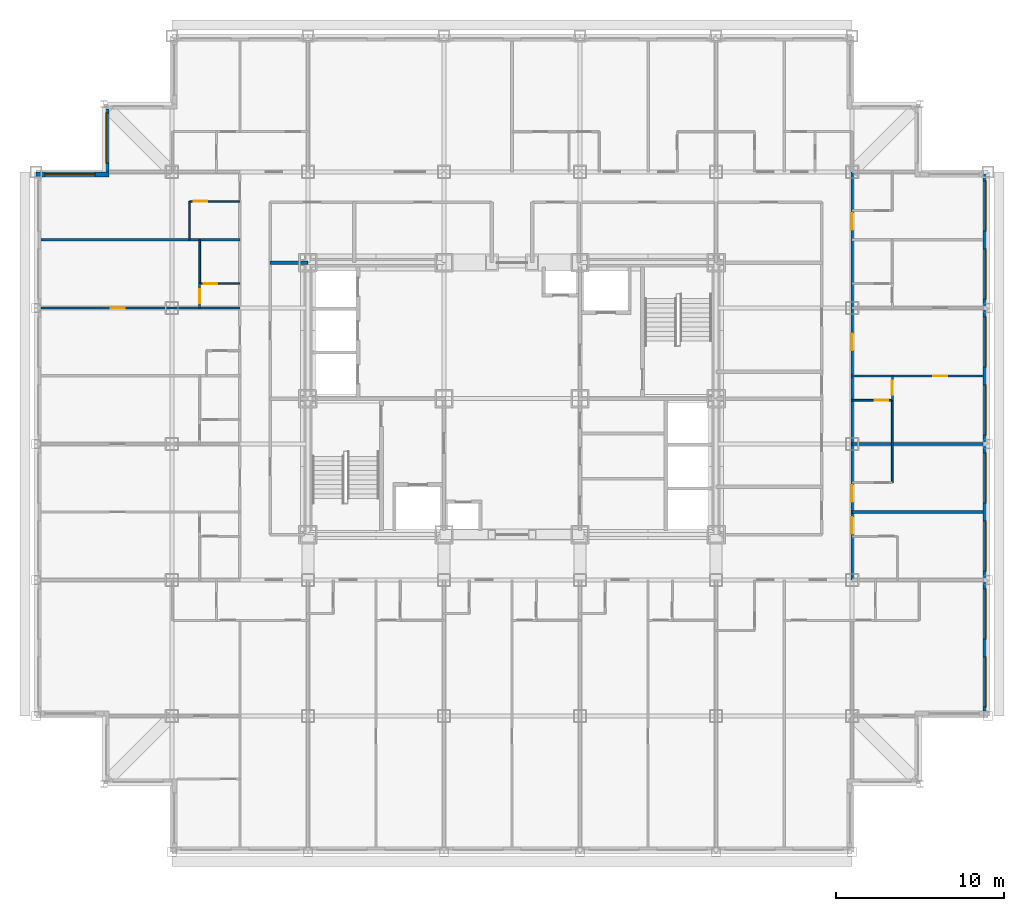
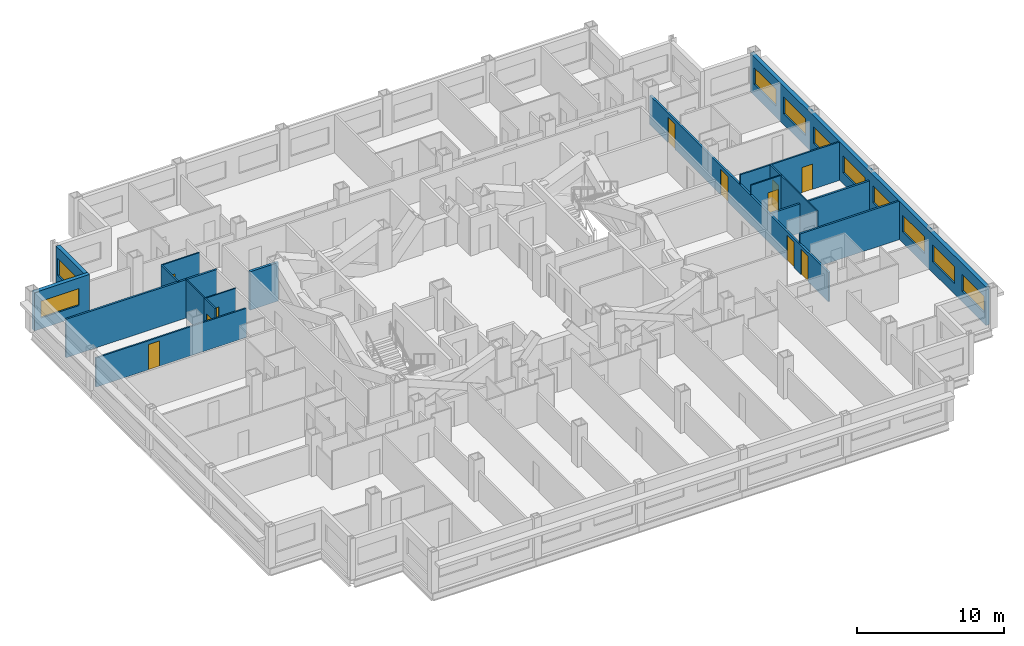
# One storey, part 8 of 12: 18 walls, 11 doors, 10 windows, 21 openings.
"""IFC4 building model written with IfcOpenShell, lengths in metres."""

from ifc_helpers import new_model, si_unit, direction, frame, frame_2d, origin, place, context, subcontext, project, spatial, rectangle, extrude, material, layer, layer_set, type_object, element, fill, save


model = new_model("IFC4")

# Units and contexts
model_context = context("Model", 3, precision=1e-05, world=origin(), true_north=direction((0.0, 1.0)))
body_context = subcontext(model_context, "Body", "Model", "MODEL_VIEW")
ifc_project = project(units=[si_unit("LENGTHUNIT", "METRE"), si_unit("AREAUNIT", "SQUARE_METRE"), si_unit("VOLUMEUNIT", "CUBIC_METRE"), si_unit("PLANEANGLEUNIT", "RADIAN"), si_unit("MASSUNIT", "GRAM", prefix="KILO")], contexts=[model_context])

# Site, building, storey
site_placement = place(None, origin())
site = spatial("IfcSite", under=ifc_project, at=site_placement, CompositionType="ELEMENT")
building_placement = place(site_placement, origin())
building = spatial("IfcBuilding", under=site, at=building_placement, Name="Kopane Lantern Tower", CompositionType="ELEMENT")
storey_placement = place(building_placement, frame((0.0, 0.0, 144.199951171875)))
storey = spatial("IfcBuildingStorey", under=building, at=storey_placement, Name="L37", CompositionType="ELEMENT", Elevation=144.199951171875)

# Wall, opening, door
ifc_material_1 = material(Name="Gypsum board on steel studs", Category="steel")
ifc_layer_1 = layer(ifc_material_1, 0.1201171875)
ifc_layer_set_1 = layer_set([ifc_layer_1], Name="APARTMENT INTERNAL WALL 120")
wall_type_1 = type_object("IfcWallType", Name="APARTMENT INTERNAL WALL 120", PredefinedType="PARTITIONING", material=ifc_layer_set_1)
wall_1_placement = place(storey_placement, frame((12.14990234375, 37.800048828125, 0.0), z_axis=(0.0, 0.0, 1.0), x_axis=(-1.0, 0.0, 0.0)))
wall_1 = element("IfcWall", 1, at=wall_1_placement, inside=storey, type_object=wall_type_1, Name="Apartment Internal Wall 120 L37", PredefinedType="PARTITIONING", context=body_context, shape_type="SweptSolid", body=[
    extrude(rectangle(XDim=11.849853515625, YDim=0.1201171875, at=frame_2d((5.9248046875, 0.0))), origin(), (0.0, 0.0, 1.0), 2.420166015625),
])
opening_1_placement = place(wall_1_placement, frame((6.85009765625, 0.0, 0.0)))
opening_1 = element("IfcOpeningElement", 2, at=opening_1_placement, cuts=wall_1, Name="Opening L37-042", PredefinedType="OPENING", context=body_context, shape_type="SweptSolid", body=[
    extrude(rectangle(XDim=0.85009765625, YDim=2.10009765625, at=frame_2d((0.425048828125, 1.050048828125))), frame((0.0, 0.070068359375, 0.0), z_axis=(0.0, -1.0, 0.0), x_axis=(1.0, 0.0, 0.0)), (0.0, 0.0, 1.0), 0.14013671875),
])
ifc_material_2 = material(Name="Timber door set", Category="wood")
door_type_1 = type_object("IfcDoorType", Name="DOOR D4 850x2100", OperationType="SINGLE_SWING_LEFT", PredefinedType="DOOR", material=ifc_material_2)
door_1_placement = place(opening_1_placement, origin())
door_1 = element("IfcDoor", 3, at=door_1_placement, inside=storey, type_object=door_type_1, Name="Door L37-042", OperationType="SINGLE_SWING_RIGHT", OverallHeight=2.10009765625, OverallWidth=0.85009765625, PredefinedType="DOOR", context=body_context, shape_type="SweptSolid", body=[
    extrude(rectangle(XDim=0.85009765625, YDim=2.10009765625, at=frame_2d((0.425048828125, 1.050048828125))), frame((0.0, 0.02490234375, 0.0), z_axis=(0.0, -1.0, 0.0), x_axis=(1.0, 0.0, 0.0)), (0.0, 0.0, 1.0), 0.050048828125),
])
fill(opening_1, door_1)

wall_2_placement = place(storey_placement, frame((48.60009765625, 33.75, 0.0), z_axis=(0.0, 0.0, 1.0), x_axis=(1.0, 0.0, 0.0)))
wall_2 = element("IfcWall", 4, at=wall_2_placement, inside=storey, type_object=wall_type_1, Name="Apartment Internal Wall 120 L37", PredefinedType="PARTITIONING", context=body_context, shape_type="SweptSolid", body=[
    extrude(rectangle(XDim=7.7998046875, YDim=0.1201171875, at=frame_2d((3.89990234375, 0.0))), origin(), (0.0, 0.0, 1.0), 3.18994140625),
])
opening_2_placement = place(wall_2_placement, frame((4.824951171875, 0.0, 0.0)))
opening_2 = element("IfcOpeningElement", 5, at=opening_2_placement, cuts=wall_2, Name="Opening L37-051", PredefinedType="OPENING", context=body_context, shape_type="SweptSolid", body=[
    extrude(rectangle(XDim=0.85009765625, YDim=2.10009765625, at=frame_2d((0.425048828125, 1.050048828125))), frame((0.0, 0.070068359375, 0.0), z_axis=(0.0, -1.0, 0.0), x_axis=(1.0, 0.0, 0.0)), (0.0, 0.0, 1.0), 0.14013671875),
])
door_2_placement = place(opening_2_placement, origin())
door_2 = element("IfcDoor", 6, at=door_2_placement, inside=storey, type_object=door_type_1, Name="Door L37-051", OperationType="SINGLE_SWING_RIGHT", OverallHeight=2.10009765625, OverallWidth=0.85009765625, PredefinedType="DOOR", context=body_context, shape_type="SweptSolid", body=[
    extrude(rectangle(XDim=0.85009765625, YDim=2.10009765625, at=frame_2d((0.425048828125, 1.050048828125))), frame((0.0, 0.02490234375, 0.0), z_axis=(0.0, -1.0, 0.0), x_axis=(1.0, 0.0, 0.0)), (0.0, 0.0, 1.0), 0.050048828125),
])
fill(opening_2, door_2)

wall_3_placement = place(storey_placement, frame((9.75, 37.800048828125, 0.0), z_axis=(0.0, 0.0, 1.0), x_axis=(0.0, 1.0, 0.0)))
wall_3 = element("IfcWall", 7, at=wall_3_placement, inside=storey, type_object=wall_type_1, Name="Apartment Internal Wall 120 L37", PredefinedType="PARTITIONING", context=body_context, shape_type="SweptSolid", body=[
    extrude(rectangle(XDim=1.4599609375, YDim=0.1201171875, at=frame_2d((0.72998046875, 0.0))), origin(), (0.0, 0.0, 1.0), 3.18994140625),
])
opening_3_placement = place(wall_3_placement, frame((0.27490234375, 0.0, 0.0)))
opening_3 = element("IfcOpeningElement", 8, at=opening_3_placement, cuts=wall_3, Name="Opening L37-078", PredefinedType="OPENING", context=body_context, shape_type="SweptSolid", body=[
    extrude(rectangle(XDim=0.85009765625, YDim=2.10009765625, at=frame_2d((0.425048828125, 1.050048828125))), frame((0.0, 0.070068359375, 0.0), z_axis=(0.0, -1.0, 0.0), x_axis=(1.0, 0.0, 0.0)), (0.0, 0.0, 1.0), 0.14013671875),
])
door_3_placement = place(opening_3_placement, origin())
door_3 = element("IfcDoor", 9, at=door_3_placement, inside=storey, type_object=door_type_1, Name="Door L37-078", OperationType="SINGLE_SWING_LEFT", OverallHeight=2.10009765625, OverallWidth=0.85009765625, PredefinedType="DOOR", context=body_context, shape_type="SweptSolid", body=[
    extrude(rectangle(XDim=0.85009765625, YDim=2.10009765625, at=frame_2d((0.425048828125, 1.050048828125))), frame((0.0, 0.02490234375, 0.0), z_axis=(0.0, -1.0, 0.0), x_axis=(1.0, 0.0, 0.0)), (0.0, 0.0, 1.0), 0.050048828125),
])
fill(opening_3, door_3)

wall_4_placement = place(storey_placement, frame((51.0, 33.75, 0.0), z_axis=(0.0, 0.0, 1.0), x_axis=(0.0, -1.0, 0.0)))
wall_4 = element("IfcWall", 10, at=wall_4_placement, inside=storey, type_object=wall_type_1, Name="Apartment Internal Wall 120 L37", PredefinedType="PARTITIONING", context=body_context, shape_type="SweptSolid", body=[
    extrude(rectangle(XDim=1.4599609375, YDim=0.1201171875, at=frame_2d((0.72998046875, 0.0))), origin(), (0.0, 0.0, 1.0), 3.18994140625),
])
opening_4_placement = place(wall_4_placement, frame((0.27490234375, 0.0, 0.0)))
opening_4 = element("IfcOpeningElement", 11, at=opening_4_placement, cuts=wall_4, Name="Opening L37-079", PredefinedType="OPENING", context=body_context, shape_type="SweptSolid", body=[
    extrude(rectangle(XDim=0.85009765625, YDim=2.10009765625, at=frame_2d((0.425048828125, 1.050048828125))), frame((0.0, 0.070068359375, 0.0), z_axis=(0.0, -1.0, 0.0), x_axis=(1.0, 0.0, 0.0)), (0.0, 0.0, 1.0), 0.14013671875),
])
door_4_placement = place(opening_4_placement, origin())
door_4 = element("IfcDoor", 12, at=door_4_placement, inside=storey, type_object=door_type_1, Name="Door L37-079", OperationType="SINGLE_SWING_LEFT", OverallHeight=2.10009765625, OverallWidth=0.85009765625, PredefinedType="DOOR", context=body_context, shape_type="SweptSolid", body=[
    extrude(rectangle(XDim=0.85009765625, YDim=2.10009765625, at=frame_2d((0.425048828125, 1.050048828125))), frame((0.0, 0.02490234375, 0.0), z_axis=(0.0, -1.0, 0.0), x_axis=(1.0, 0.0, 0.0)), (0.0, 0.0, 1.0), 0.050048828125),
])
fill(opening_4, door_4)

# Wall
ifc_material_3 = material(Name="Moisture-resistant board on steel studs", Category="steel")
ifc_layer_2 = layer(ifc_material_3, 0.10009765625)
ifc_layer_set_2 = layer_set([ifc_layer_2], Name="BATHROOM WALL 100")
wall_type_2 = type_object("IfcWallType", Name="BATHROOM WALL 100", PredefinedType="PARTITIONING", material=ifc_layer_set_2)
wall_5_placement = place(storey_placement, frame((9.75, 39.25, 0.0), z_axis=(0.0, 0.0, 1.0), x_axis=(0.0, 1.0, 0.0)))
element("IfcWall", 13, at=wall_5_placement, inside=storey, type_object=wall_type_2, Name="Bathroom Wall 100 L37", PredefinedType="PARTITIONING", context=body_context, shape_type="SweptSolid", body=[
    extrude(rectangle(XDim=2.60009765625, YDim=0.10009765625, at=frame_2d((1.300048828125, 0.0))), origin(), (0.0, 0.0, 1.0), 3.18994140625),
])

# Wall, opening, door
wall_6_placement = place(storey_placement, frame((12.14990234375, 39.25, 0.0), z_axis=(0.0, 0.0, 1.0), x_axis=(-1.0, 0.0, 0.0)))
wall_6 = element("IfcWall", 14, at=wall_6_placement, inside=storey, type_object=wall_type_2, Name="Bathroom Wall 100 L37", PredefinedType="PARTITIONING", context=body_context, shape_type="SweptSolid", body=[
    extrude(rectangle(XDim=2.39990234375, YDim=0.10009765625, at=frame_2d((1.199951171875, 0.0))), origin(), (0.0, 0.0, 1.0), 3.18994140625),
])
opening_5_placement = place(wall_6_placement, frame((1.35009765625, 0.0, 0.0)))
opening_5 = element("IfcOpeningElement", 15, at=opening_5_placement, cuts=wall_6, Name="Opening L37-041", PredefinedType="OPENING", context=body_context, shape_type="SweptSolid", body=[
    extrude(rectangle(XDim=0.800048828125, YDim=2.10009765625, at=frame_2d((0.39990234375, 1.050048828125))), frame((0.0, 0.06005859375, 0.0), z_axis=(0.0, -1.0, 0.0), x_axis=(1.0, 0.0, 0.0)), (0.0, 0.0, 1.0), 0.1201171875),
])
ifc_material_4 = material(Name="Timber door set", Category="wood")
door_type_2 = type_object("IfcDoorType", Name="DOOR D2 800x2100", OperationType="SINGLE_SWING_LEFT", PredefinedType="DOOR", material=ifc_material_4)
door_5_placement = place(opening_5_placement, origin())
door_5 = element("IfcDoor", 16, at=door_5_placement, inside=storey, type_object=door_type_2, Name="Door L37-041", OperationType="SINGLE_SWING_RIGHT", OverallHeight=2.10009765625, OverallWidth=0.800048828125, PredefinedType="DOOR", context=body_context, shape_type="SweptSolid", body=[
    extrude(rectangle(XDim=0.800048828125, YDim=2.10009765625, at=frame_2d((0.39990234375, 1.050048828125))), frame((0.0, 0.02490234375, 0.0), z_axis=(0.0, -1.0, 0.0), x_axis=(1.0, 0.0, 0.0)), (0.0, 0.0, 1.0), 0.050048828125),
])
fill(opening_5, door_5)

# Wall
wall_7_placement = place(storey_placement, frame((9.14990234375, 41.85009765625, 0.0), z_axis=(0.0, 0.0, 1.0), x_axis=(0.0, 1.0, 0.0)))
element("IfcWall", 17, at=wall_7_placement, inside=storey, type_object=wall_type_2, Name="Bathroom Wall 100 L37", PredefinedType="PARTITIONING", context=body_context, shape_type="SweptSolid", body=[
    extrude(rectangle(XDim=2.2998046875, YDim=0.10009765625, at=frame_2d((1.14990234375, 0.0))), origin(), (0.0, 0.0, 1.0), 3.18994140625),
])

# Wall, opening, door
wall_8_placement = place(storey_placement, frame((12.14990234375, 44.14990234375, 0.0), z_axis=(0.0, 0.0, 1.0), x_axis=(-1.0, 0.0, 0.0)))
wall_8 = element("IfcWall", 18, at=wall_8_placement, inside=storey, type_object=wall_type_2, Name="Bathroom Wall 100 L37", PredefinedType="PARTITIONING", context=body_context, shape_type="SweptSolid", body=[
    extrude(rectangle(XDim=3.0, YDim=0.10009765625, at=frame_2d((1.5, 0.0))), origin(), (0.0, 0.0, 1.0), 3.18994140625),
])
opening_6_placement = place(wall_8_placement, frame((1.949951171875, 0.0, 0.0)))
opening_6 = element("IfcOpeningElement", 19, at=opening_6_placement, cuts=wall_8, Name="Opening L37-043", PredefinedType="OPENING", context=body_context, shape_type="SweptSolid", body=[
    extrude(rectangle(XDim=0.800048828125, YDim=2.10009765625, at=frame_2d((0.39990234375, 1.050048828125))), frame((0.0, 0.06005859375, 0.0), z_axis=(0.0, -1.0, 0.0), x_axis=(1.0, 0.0, 0.0)), (0.0, 0.0, 1.0), 0.1201171875),
])
door_6_placement = place(opening_6_placement, origin())
door_6 = element("IfcDoor", 20, at=door_6_placement, inside=storey, type_object=door_type_2, Name="Door L37-043", OperationType="SINGLE_SWING_RIGHT", OverallHeight=2.10009765625, OverallWidth=0.800048828125, PredefinedType="DOOR", context=body_context, shape_type="SweptSolid", body=[
    extrude(rectangle(XDim=0.800048828125, YDim=2.10009765625, at=frame_2d((0.39990234375, 1.050048828125))), frame((0.0, 0.02490234375, 0.0), z_axis=(0.0, -1.0, 0.0), x_axis=(1.0, 0.0, 0.0)), (0.0, 0.0, 1.0), 0.050048828125),
])
fill(opening_6, door_6)

# Wall
wall_9_placement = place(storey_placement, frame((51.0, 27.39990234375, 0.0), z_axis=(0.0, 0.0, 1.0), x_axis=(0.0, 1.0, 0.0)))
element("IfcWall", 21, at=wall_9_placement, inside=storey, type_object=wall_type_2, Name="Bathroom Wall 100 L37", PredefinedType="PARTITIONING", context=body_context, shape_type="SweptSolid", body=[
    extrude(rectangle(XDim=4.900146484375, YDim=0.10009765625, at=frame_2d((2.4501953125, 0.0))), origin(), (0.0, 0.0, 1.0), 3.18994140625),
])

# Wall, opening, door
wall_10_placement = place(storey_placement, frame((48.60009765625, 32.300048828125, 0.0), z_axis=(0.0, 0.0, 1.0), x_axis=(1.0, 0.0, 0.0)))
wall_10 = element("IfcWall", 22, at=wall_10_placement, inside=storey, type_object=wall_type_2, Name="Bathroom Wall 100 L37", PredefinedType="PARTITIONING", context=body_context, shape_type="SweptSolid", body=[
    extrude(rectangle(XDim=2.39990234375, YDim=0.10009765625, at=frame_2d((1.199951171875, 0.0))), origin(), (0.0, 0.0, 1.0), 3.18994140625),
])
opening_7_placement = place(wall_10_placement, frame((1.35009765625, 0.0, 0.0)))
opening_7 = element("IfcOpeningElement", 23, at=opening_7_placement, cuts=wall_10, Name="Opening L37-050", PredefinedType="OPENING", context=body_context, shape_type="SweptSolid", body=[
    extrude(rectangle(XDim=0.800048828125, YDim=2.10009765625, at=frame_2d((0.39990234375, 1.050048828125))), frame((0.0, 0.06005859375, 0.0), z_axis=(0.0, -1.0, 0.0), x_axis=(1.0, 0.0, 0.0)), (0.0, 0.0, 1.0), 0.1201171875),
])
door_7_placement = place(opening_7_placement, origin())
door_7 = element("IfcDoor", 24, at=door_7_placement, inside=storey, type_object=door_type_2, Name="Door L37-050", OperationType="SINGLE_SWING_RIGHT", OverallHeight=2.10009765625, OverallWidth=0.800048828125, PredefinedType="DOOR", context=body_context, shape_type="SweptSolid", body=[
    extrude(rectangle(XDim=0.800048828125, YDim=2.10009765625, at=frame_2d((0.39990234375, 1.050048828125))), frame((0.0, 0.02490234375, 0.0), z_axis=(0.0, -1.0, 0.0), x_axis=(1.0, 0.0, 0.0)), (0.0, 0.0, 1.0), 0.050048828125),
])
fill(opening_7, door_7)

# Wall, openings, doors
ifc_material_5 = material(Name="Gypsum board on steel studs", Category="steel")
ifc_layer_3 = layer(ifc_material_5, 0.14990234375)
ifc_layer_set_3 = layer_set([ifc_layer_3], Name="CORRIDOR WALL 150 EI 60")
wall_type_3 = type_object("IfcWallType", Name="CORRIDOR WALL 150 EI 60", PredefinedType="PARTITIONING", material=ifc_layer_set_3)
wall_11_placement = place(storey_placement, frame((48.60009765625, 21.60009765625, 0.0), z_axis=(0.0, 0.0, 1.0), x_axis=(0.0, 1.0, 0.0)))
wall_11 = element("IfcWall", 25, at=wall_11_placement, inside=storey, type_object=wall_type_3, Name="Corridor Wall 150 Ei 60 L37", PredefinedType="PARTITIONING", context=body_context, shape_type="SweptSolid", body=[
    extrude(rectangle(XDim=24.2998046875, YDim=0.14990234375, at=frame_2d((12.14990234375, 0.0))), origin(), (0.0, 0.0, 1.0), 2.420166015625),
])
opening_8_placement = place(wall_11_placement, frame((2.75, 0.0, 0.0)))
opening_8 = element("IfcOpeningElement", 26, at=opening_8_placement, cuts=wall_11, Name="Opening L37-046", PredefinedType="OPENING", context=body_context, shape_type="SweptSolid", body=[
    extrude(rectangle(XDim=1.0, YDim=2.10009765625, at=frame_2d((0.5, 1.050048828125))), frame((0.0, 0.0849609375, 0.0), z_axis=(0.0, -1.0, 0.0), x_axis=(1.0, 0.0, 0.0)), (0.0, 0.0, 1.0), 0.169921875),
])
opening_9_placement = place(wall_11_placement, frame((4.64990234375, 0.0, 0.0)))
opening_9 = element("IfcOpeningElement", 27, at=opening_9_placement, cuts=wall_11, Name="Opening L37-048", PredefinedType="OPENING", context=body_context, shape_type="SweptSolid", body=[
    extrude(rectangle(XDim=1.0, YDim=2.10009765625, at=frame_2d((0.5, 1.050048828125))), frame((0.0, 0.0849609375, 0.0), z_axis=(0.0, -1.0, 0.0), x_axis=(1.0, 0.0, 0.0)), (0.0, 0.0, 1.0), 0.169921875),
])
opening_10_placement = place(wall_11_placement, frame((13.675048828125, 0.0, 0.0)))
opening_10 = element("IfcOpeningElement", 28, at=opening_10_placement, cuts=wall_11, Name="Opening L37-049", PredefinedType="OPENING", context=body_context, shape_type="SweptSolid", body=[
    extrude(rectangle(XDim=1.0, YDim=2.10009765625, at=frame_2d((0.5, 1.050048828125))), frame((0.0, 0.0849609375, 0.0), z_axis=(0.0, -1.0, 0.0), x_axis=(1.0, 0.0, 0.0)), (0.0, 0.0, 1.0), 0.169921875),
])
opening_11_placement = place(wall_11_placement, frame((20.85009765625, 0.0, 0.0)))
opening_11 = element("IfcOpeningElement", 29, at=opening_11_placement, cuts=wall_11, Name="Opening L37-055", PredefinedType="OPENING", context=body_context, shape_type="SweptSolid", body=[
    extrude(rectangle(XDim=1.0, YDim=2.10009765625, at=frame_2d((0.5, 1.050048828125))), frame((0.0, 0.0849609375, 0.0), z_axis=(0.0, -1.0, 0.0), x_axis=(1.0, 0.0, 0.0)), (0.0, 0.0, 1.0), 0.169921875),
])
ifc_material_6 = material(Name="Steel door set", Category="steel")
door_type_3 = type_object("IfcDoorType", Name="DOOR D1 1000x2100 FD30S", OperationType="SINGLE_SWING_LEFT", PredefinedType="DOOR", material=ifc_material_6)
door_8_placement = place(opening_8_placement, origin())
door_8 = element("IfcDoor", 30, at=door_8_placement, inside=storey, type_object=door_type_3, Name="Door L37-046", OperationType="SINGLE_SWING_RIGHT", OverallHeight=2.10009765625, OverallWidth=1.0, PredefinedType="DOOR", context=body_context, shape_type="SweptSolid", body=[
    extrude(rectangle(XDim=1.0, YDim=2.10009765625, at=frame_2d((0.5, 1.050048828125))), frame((0.0, 0.02490234375, 0.0), z_axis=(0.0, -1.0, 0.0), x_axis=(1.0, 0.0, 0.0)), (0.0, 0.0, 1.0), 0.050048828125),
])
fill(opening_8, door_8)
door_9_placement = place(opening_9_placement, origin())
door_9 = element("IfcDoor", 31, at=door_9_placement, inside=storey, type_object=door_type_3, Name="Door L37-048", OperationType="SINGLE_SWING_LEFT", OverallHeight=2.10009765625, OverallWidth=1.0, PredefinedType="DOOR", context=body_context, shape_type="SweptSolid", body=[
    extrude(rectangle(XDim=1.0, YDim=2.10009765625, at=frame_2d((0.5, 1.050048828125))), frame((0.0, 0.02490234375, 0.0), z_axis=(0.0, -1.0, 0.0), x_axis=(1.0, 0.0, 0.0)), (0.0, 0.0, 1.0), 0.050048828125),
])
fill(opening_9, door_9)
door_10_placement = place(opening_10_placement, origin())
door_10 = element("IfcDoor", 32, at=door_10_placement, inside=storey, type_object=door_type_3, Name="Door L37-049", OperationType="SINGLE_SWING_RIGHT", OverallHeight=2.10009765625, OverallWidth=1.0, PredefinedType="DOOR", context=body_context, shape_type="SweptSolid", body=[
    extrude(rectangle(XDim=1.0, YDim=2.10009765625, at=frame_2d((0.5, 1.050048828125))), frame((0.0, 0.02490234375, 0.0), z_axis=(0.0, -1.0, 0.0), x_axis=(1.0, 0.0, 0.0)), (0.0, 0.0, 1.0), 0.050048828125),
])
fill(opening_10, door_10)
door_11_placement = place(opening_11_placement, origin())
door_11 = element("IfcDoor", 33, at=door_11_placement, inside=storey, type_object=door_type_3, Name="Door L37-055", OperationType="SINGLE_SWING_LEFT", OverallHeight=2.10009765625, OverallWidth=1.0, PredefinedType="DOOR", context=body_context, shape_type="SweptSolid", body=[
    extrude(rectangle(XDim=1.0, YDim=2.10009765625, at=frame_2d((0.5, 1.050048828125))), frame((0.0, 0.02490234375, 0.0), z_axis=(0.0, -1.0, 0.0), x_axis=(1.0, 0.0, 0.0)), (0.0, 0.0, 1.0), 0.050048828125),
])
fill(opening_11, door_11)

# Walls
ifc_material_7 = material(Name="Gypsum board on steel studs", Category="steel")
ifc_layer_4 = layer(ifc_material_7, 0.14990234375)
ifc_layer_set_4 = layer_set([ifc_layer_4], Name="DEMISING WALL 150 EI 60")
wall_type_4 = type_object("IfcWallType", Name="DEMISING WALL 150 EI 60", PredefinedType="PARTITIONING", material=ifc_layer_set_4)
wall_12_placement = place(storey_placement, frame((12.14990234375, 41.85009765625, 0.0), z_axis=(0.0, 0.0, 1.0), x_axis=(-1.0, 0.0, 0.0)))
element("IfcWall", 34, at=wall_12_placement, inside=storey, type_object=wall_type_4, Name="Demising Wall 150 Ei 60 L37", PredefinedType="PARTITIONING", context=body_context, shape_type="SweptSolid", body=[
    extrude(rectangle(XDim=11.849853515625, YDim=0.14990234375, at=frame_2d((5.9248046875, 0.0))), origin(), (0.0, 0.0, 1.0), 3.18994140625),
])
wall_13_placement = place(storey_placement, frame((48.60009765625, 25.64990234375, 0.0), z_axis=(0.0, 0.0, 1.0), x_axis=(1.0, 0.0, 0.0)))
element("IfcWall", 35, at=wall_13_placement, inside=storey, type_object=wall_type_4, Name="Demising Wall 150 Ei 60 L37", PredefinedType="PARTITIONING", context=body_context, shape_type="SweptSolid", body=[
    extrude(rectangle(XDim=7.7998046875, YDim=0.14990234375, at=frame_2d((3.89990234375, 0.0))), origin(), (0.0, 0.0, 1.0), 3.18994140625),
])
wall_14_placement = place(storey_placement, frame((48.60009765625, 29.699951171875, 0.0), z_axis=(0.0, 0.0, 1.0), x_axis=(1.0, 0.0, 0.0)))
element("IfcWall", 36, at=wall_14_placement, inside=storey, type_object=wall_type_4, Name="Demising Wall 150 Ei 60 L37", PredefinedType="PARTITIONING", context=body_context, shape_type="SweptSolid", body=[
    extrude(rectangle(XDim=7.7998046875, YDim=0.14990234375, at=frame_2d((3.89990234375, 0.0))), origin(), (0.0, 0.0, 1.0), 2.420166015625),
])

# Wall, openings, windows
ifc_material_8 = material(Name="Terracotta rainscreen on light steel framing", Category="masonry")
ifc_layer_5 = layer(ifc_material_8, 0.300048828125)
ifc_layer_set_5 = layer_set([ifc_layer_5], Name="EXTERNAL WALL EW1 300 TERRACOTTA")
wall_type_5 = type_object("IfcWallType", Name="EXTERNAL WALL EW1 300 TERRACOTTA", PredefinedType="SOLIDWALL", material=ifc_layer_set_5)
wall_15_placement = place(storey_placement, frame((56.550048828125, 13.800048828125, 0.0), z_axis=(0.0, 0.0, 1.0), x_axis=(0.0, 1.0, 0.0)))
wall_15 = element("IfcWall", 37, at=wall_15_placement, inside=storey, type_object=wall_type_5, Name="External wall E L37", PredefinedType="SOLIDWALL", context=body_context, shape_type="SweptSolid", body=[
    extrude(rectangle(XDim=32.099853515625, YDim=0.300048828125, at=frame_2d((16.0498046875, 0.0))), origin(), (0.0, 0.0, 1.0), 3.18994140625),
])
opening_12_placement = place(wall_15_placement, frame((0.22509765625, 0.0, 0.89990234375)))
opening_12 = element("IfcOpeningElement", 38, at=opening_12_placement, cuts=wall_15, Name="Opening WR300140", PredefinedType="OPENING", context=body_context, shape_type="SweptSolid", body=[
    extrude(rectangle(XDim=3.0, YDim=1.39990234375, at=frame_2d((1.5, 0.699951171875))), frame((0.0, 0.159912109375, 0.0), z_axis=(0.0, -1.0, 0.0), x_axis=(1.0, 0.0, 0.0)), (0.0, 0.0, 1.0), 0.320068359375),
])
opening_13_placement = place(wall_15_placement, frame((4.27490234375, 0.0, 0.89990234375)))
opening_13 = element("IfcOpeningElement", 39, at=opening_13_placement, cuts=wall_15, Name="Opening WR300140", PredefinedType="OPENING", context=body_context, shape_type="SweptSolid", body=[
    extrude(rectangle(XDim=3.0, YDim=1.39990234375, at=frame_2d((1.5, 0.699951171875))), frame((0.0, 0.159912109375, 0.0), z_axis=(0.0, -1.0, 0.0), x_axis=(1.0, 0.0, 0.0)), (0.0, 0.0, 1.0), 0.320068359375),
])
opening_14_placement = place(wall_15_placement, frame((8.324951171875, 0.0, 0.89990234375)))
opening_14 = element("IfcOpeningElement", 40, at=opening_14_placement, cuts=wall_15, Name="Opening WR300140", PredefinedType="OPENING", context=body_context, shape_type="SweptSolid", body=[
    extrude(rectangle(XDim=3.0, YDim=1.39990234375, at=frame_2d((1.5, 0.699951171875))), frame((0.0, 0.159912109375, 0.0), z_axis=(0.0, -1.0, 0.0), x_axis=(1.0, 0.0, 0.0)), (0.0, 0.0, 1.0), 0.320068359375),
])
opening_15_placement = place(wall_15_placement, frame((12.375, 0.0, 0.89990234375)))
opening_15 = element("IfcOpeningElement", 41, at=opening_15_placement, cuts=wall_15, Name="Opening WR300140", PredefinedType="OPENING", context=body_context, shape_type="SweptSolid", body=[
    extrude(rectangle(XDim=3.0, YDim=1.39990234375, at=frame_2d((1.5, 0.699951171875))), frame((0.0, 0.159912109375, 0.0), z_axis=(0.0, -1.0, 0.0), x_axis=(1.0, 0.0, 0.0)), (0.0, 0.0, 1.0), 0.320068359375),
])
opening_16_placement = place(wall_15_placement, frame((16.425048828125, 0.0, 0.89990234375)))
opening_16 = element("IfcOpeningElement", 42, at=opening_16_placement, cuts=wall_15, Name="Opening WR300140", PredefinedType="OPENING", context=body_context, shape_type="SweptSolid", body=[
    extrude(rectangle(XDim=3.0, YDim=1.39990234375, at=frame_2d((1.5, 0.699951171875))), frame((0.0, 0.159912109375, 0.0), z_axis=(0.0, -1.0, 0.0), x_axis=(1.0, 0.0, 0.0)), (0.0, 0.0, 1.0), 0.320068359375),
])
opening_17_placement = place(wall_15_placement, frame((20.47509765625, 0.0, 0.89990234375)))
opening_17 = element("IfcOpeningElement", 43, at=opening_17_placement, cuts=wall_15, Name="Opening WR300140", PredefinedType="OPENING", context=body_context, shape_type="SweptSolid", body=[
    extrude(rectangle(XDim=3.0, YDim=1.39990234375, at=frame_2d((1.5, 0.699951171875))), frame((0.0, 0.159912109375, 0.0), z_axis=(0.0, -1.0, 0.0), x_axis=(1.0, 0.0, 0.0)), (0.0, 0.0, 1.0), 0.320068359375),
])
opening_18_placement = place(wall_15_placement, frame((24.52490234375, 0.0, 0.89990234375)))
opening_18 = element("IfcOpeningElement", 44, at=opening_18_placement, cuts=wall_15, Name="Opening WR300140", PredefinedType="OPENING", context=body_context, shape_type="SweptSolid", body=[
    extrude(rectangle(XDim=3.0, YDim=1.39990234375, at=frame_2d((1.5, 0.699951171875))), frame((0.0, 0.159912109375, 0.0), z_axis=(0.0, -1.0, 0.0), x_axis=(1.0, 0.0, 0.0)), (0.0, 0.0, 1.0), 0.320068359375),
])
opening_19_placement = place(wall_15_placement, frame((28.574951171875, 0.0, 0.89990234375)))
opening_19 = element("IfcOpeningElement", 45, at=opening_19_placement, cuts=wall_15, Name="Opening WR300140", PredefinedType="OPENING", context=body_context, shape_type="SweptSolid", body=[
    extrude(rectangle(XDim=3.0, YDim=1.39990234375, at=frame_2d((1.5, 0.699951171875))), frame((0.0, 0.159912109375, 0.0), z_axis=(0.0, -1.0, 0.0), x_axis=(1.0, 0.0, 0.0)), (0.0, 0.0, 1.0), 0.320068359375),
])
ifc_material_9 = material(Name="Aluminium and clear glass", Category="aluminium")
window_type = type_object("IfcWindowType", Name="RIBBON WINDOW WR300140 3000x1400", PartitioningType="SINGLE_PANEL", PredefinedType="WINDOW", material=ifc_material_9)
window_1_placement = place(opening_12_placement, origin())
window_1 = element("IfcWindow", 46, at=window_1_placement, inside=storey, type_object=window_type, Name="Window E L37", OverallHeight=1.39990234375, OverallWidth=3.0, PartitioningType="SINGLE_PANEL", PredefinedType="WINDOW", context=body_context, shape_type="SweptSolid", body=[
    extrude(rectangle(XDim=3.0, YDim=1.39990234375, at=frame_2d((1.5, 0.699951171875))), frame((0.0, 0.030029296875, 0.0), z_axis=(0.0, -1.0, 0.0), x_axis=(1.0, 0.0, 0.0)), (0.0, 0.0, 1.0), 0.06005859375),
])
fill(opening_12, window_1)
window_2_placement = place(opening_13_placement, origin())
window_2 = element("IfcWindow", 47, at=window_2_placement, inside=storey, type_object=window_type, Name="Window E L37", OverallHeight=1.39990234375, OverallWidth=3.0, PartitioningType="SINGLE_PANEL", PredefinedType="WINDOW", context=body_context, shape_type="SweptSolid", body=[
    extrude(rectangle(XDim=3.0, YDim=1.39990234375, at=frame_2d((1.5, 0.699951171875))), frame((0.0, 0.030029296875, 0.0), z_axis=(0.0, -1.0, 0.0), x_axis=(1.0, 0.0, 0.0)), (0.0, 0.0, 1.0), 0.06005859375),
])
fill(opening_13, window_2)
window_3_placement = place(opening_14_placement, origin())
window_3 = element("IfcWindow", 48, at=window_3_placement, inside=storey, type_object=window_type, Name="Window E L37", OverallHeight=1.39990234375, OverallWidth=3.0, PartitioningType="SINGLE_PANEL", PredefinedType="WINDOW", context=body_context, shape_type="SweptSolid", body=[
    extrude(rectangle(XDim=3.0, YDim=1.39990234375, at=frame_2d((1.5, 0.699951171875))), frame((0.0, 0.030029296875, 0.0), z_axis=(0.0, -1.0, 0.0), x_axis=(1.0, 0.0, 0.0)), (0.0, 0.0, 1.0), 0.06005859375),
])
fill(opening_14, window_3)
window_4_placement = place(opening_15_placement, origin())
window_4 = element("IfcWindow", 49, at=window_4_placement, inside=storey, type_object=window_type, Name="Window E L37", OverallHeight=1.39990234375, OverallWidth=3.0, PartitioningType="SINGLE_PANEL", PredefinedType="WINDOW", context=body_context, shape_type="SweptSolid", body=[
    extrude(rectangle(XDim=3.0, YDim=1.39990234375, at=frame_2d((1.5, 0.699951171875))), frame((0.0, 0.030029296875, 0.0), z_axis=(0.0, -1.0, 0.0), x_axis=(1.0, 0.0, 0.0)), (0.0, 0.0, 1.0), 0.06005859375),
])
fill(opening_15, window_4)
window_5_placement = place(opening_16_placement, origin())
window_5 = element("IfcWindow", 50, at=window_5_placement, inside=storey, type_object=window_type, Name="Window E L37", OverallHeight=1.39990234375, OverallWidth=3.0, PartitioningType="SINGLE_PANEL", PredefinedType="WINDOW", context=body_context, shape_type="SweptSolid", body=[
    extrude(rectangle(XDim=3.0, YDim=1.39990234375, at=frame_2d((1.5, 0.699951171875))), frame((0.0, 0.030029296875, 0.0), z_axis=(0.0, -1.0, 0.0), x_axis=(1.0, 0.0, 0.0)), (0.0, 0.0, 1.0), 0.06005859375),
])
fill(opening_16, window_5)
window_6_placement = place(opening_17_placement, origin())
window_6 = element("IfcWindow", 51, at=window_6_placement, inside=storey, type_object=window_type, Name="Window E L37", OverallHeight=1.39990234375, OverallWidth=3.0, PartitioningType="SINGLE_PANEL", PredefinedType="WINDOW", context=body_context, shape_type="SweptSolid", body=[
    extrude(rectangle(XDim=3.0, YDim=1.39990234375, at=frame_2d((1.5, 0.699951171875))), frame((0.0, 0.030029296875, 0.0), z_axis=(0.0, -1.0, 0.0), x_axis=(1.0, 0.0, 0.0)), (0.0, 0.0, 1.0), 0.06005859375),
])
fill(opening_17, window_6)
window_7_placement = place(opening_18_placement, origin())
window_7 = element("IfcWindow", 52, at=window_7_placement, inside=storey, type_object=window_type, Name="Window E L37", OverallHeight=1.39990234375, OverallWidth=3.0, PartitioningType="SINGLE_PANEL", PredefinedType="WINDOW", context=body_context, shape_type="SweptSolid", body=[
    extrude(rectangle(XDim=3.0, YDim=1.39990234375, at=frame_2d((1.5, 0.699951171875))), frame((0.0, 0.030029296875, 0.0), z_axis=(0.0, -1.0, 0.0), x_axis=(1.0, 0.0, 0.0)), (0.0, 0.0, 1.0), 0.06005859375),
])
fill(opening_18, window_7)
window_8_placement = place(opening_19_placement, origin())
window_8 = element("IfcWindow", 53, at=window_8_placement, inside=storey, type_object=window_type, Name="Window E L37", OverallHeight=1.39990234375, OverallWidth=3.0, PartitioningType="SINGLE_PANEL", PredefinedType="WINDOW", context=body_context, shape_type="SweptSolid", body=[
    extrude(rectangle(XDim=3.0, YDim=1.39990234375, at=frame_2d((1.5, 0.699951171875))), frame((0.0, 0.030029296875, 0.0), z_axis=(0.0, -1.0, 0.0), x_axis=(1.0, 0.0, 0.0)), (0.0, 0.0, 1.0), 0.06005859375),
])
fill(opening_19, window_8)

# Wall, opening, window
wall_16_placement = place(storey_placement, frame((4.199951171875, 49.64990234375, 0.0), z_axis=(0.0, 0.0, 1.0), x_axis=(0.0, -1.0, 0.0)))
wall_16 = element("IfcWall", 54, at=wall_16_placement, inside=storey, type_object=wall_type_5, Name="External wall W L37", PredefinedType="SOLIDWALL", context=body_context, shape_type="SweptSolid", body=[
    extrude(rectangle(XDim=3.75, YDim=0.300048828125, at=frame_2d((1.875, 0.0))), origin(), (0.0, 0.0, 1.0), 3.18994140625),
])
opening_20_placement = place(wall_16_placement, frame((0.22509765625, 0.0, 0.89990234375)))
opening_20 = element("IfcOpeningElement", 55, at=opening_20_placement, cuts=wall_16, Name="Opening WR300140", PredefinedType="OPENING", context=body_context, shape_type="SweptSolid", body=[
    extrude(rectangle(XDim=3.0, YDim=1.39990234375, at=frame_2d((1.5, 0.699951171875))), frame((0.0, 0.159912109375, 0.0), z_axis=(0.0, -1.0, 0.0), x_axis=(1.0, 0.0, 0.0)), (0.0, 0.0, 1.0), 0.320068359375),
])
window_9_placement = place(opening_20_placement, origin())
window_9 = element("IfcWindow", 56, at=window_9_placement, inside=storey, type_object=window_type, Name="Window W L37", OverallHeight=1.39990234375, OverallWidth=3.0, PartitioningType="SINGLE_PANEL", PredefinedType="WINDOW", context=body_context, shape_type="SweptSolid", body=[
    extrude(rectangle(XDim=3.0, YDim=1.39990234375, at=frame_2d((1.5, 0.699951171875))), frame((0.0, 0.030029296875, 0.0), z_axis=(0.0, -1.0, 0.0), x_axis=(1.0, 0.0, 0.0)), (0.0, 0.0, 1.0), 0.06005859375),
])
fill(opening_20, window_9)

wall_17_placement = place(storey_placement, frame((4.35009765625, 45.75, 0.0), z_axis=(0.0, 0.0, 1.0), x_axis=(-1.0, 0.0, 0.0)))
wall_17 = element("IfcWall", 57, at=wall_17_placement, inside=storey, type_object=wall_type_5, Name="External wall N L37", PredefinedType="SOLIDWALL", context=body_context, shape_type="SweptSolid", body=[
    extrude(rectangle(XDim=4.35009765625, YDim=0.300048828125, at=frame_2d((2.175048828125, 0.0))), origin(), (0.0, 0.0, 1.0), 3.18994140625),
])
opening_21_placement = place(wall_17_placement, frame((0.824951171875, 0.0, 0.89990234375)))
opening_21 = element("IfcOpeningElement", 58, at=opening_21_placement, cuts=wall_17, Name="Opening WR300140", PredefinedType="OPENING", context=body_context, shape_type="SweptSolid", body=[
    extrude(rectangle(XDim=3.0, YDim=1.39990234375, at=frame_2d((1.5, 0.699951171875))), frame((0.0, 0.159912109375, 0.0), z_axis=(0.0, -1.0, 0.0), x_axis=(1.0, 0.0, 0.0)), (0.0, 0.0, 1.0), 0.320068359375),
])
window_10_placement = place(opening_21_placement, origin())
window_10 = element("IfcWindow", 59, at=window_10_placement, inside=storey, type_object=window_type, Name="Window N L37", OverallHeight=1.39990234375, OverallWidth=3.0, PartitioningType="SINGLE_PANEL", PredefinedType="WINDOW", context=body_context, shape_type="SweptSolid", body=[
    extrude(rectangle(XDim=3.0, YDim=1.39990234375, at=frame_2d((1.5, 0.699951171875))), frame((0.0, 0.030029296875, 0.0), z_axis=(0.0, -1.0, 0.0), x_axis=(1.0, 0.0, 0.0)), (0.0, 0.0, 1.0), 0.06005859375),
])
fill(opening_21, window_10)

# Wall
ifc_material_10 = material(Name="Concrete masonry", Category="masonry")
ifc_layer_6 = layer(ifc_material_10, 0.199951171875)
ifc_layer_set_6 = layer_set([ifc_layer_6], Name="PLANT ROOM WALL 200 EI 120")
wall_type_6 = type_object("IfcWallType", Name="PLANT ROOM WALL 200 EI 120", PredefinedType="SOLIDWALL", material=ifc_layer_set_6)
wall_18_placement = place(storey_placement, frame((13.949951171875, 40.5, 0.0), z_axis=(0.0, 0.0, 1.0), x_axis=(1.0, 0.0, 0.0)))
element("IfcWall", 60, at=wall_18_placement, inside=storey, type_object=wall_type_6, Name="Plant Room Wall 200 Ei 120 L37", PredefinedType="SOLIDWALL", context=body_context, shape_type="SweptSolid", body=[
    extrude(rectangle(XDim=2.25, YDim=0.199951171875, at=frame_2d((1.125, 0.0))), origin(), (0.0, 0.0, 1.0), 3.18994140625),
])

save(model, "model.ifc")
